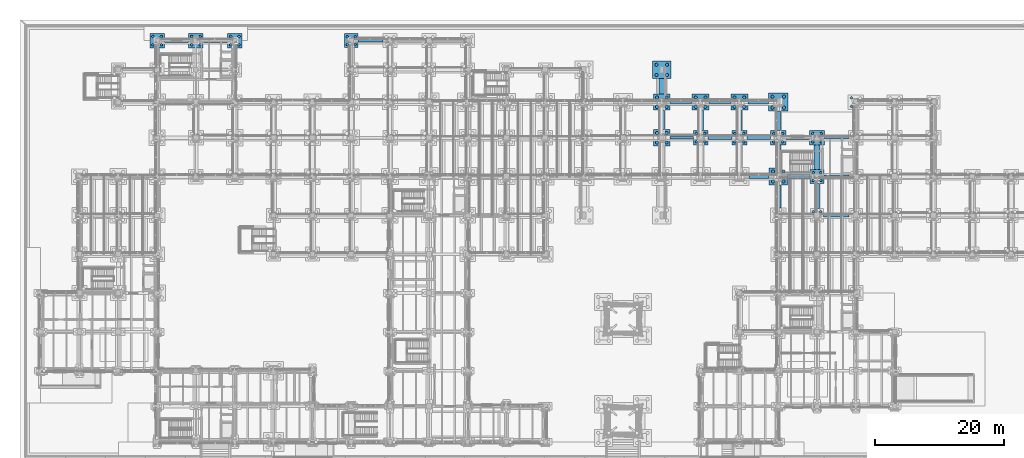
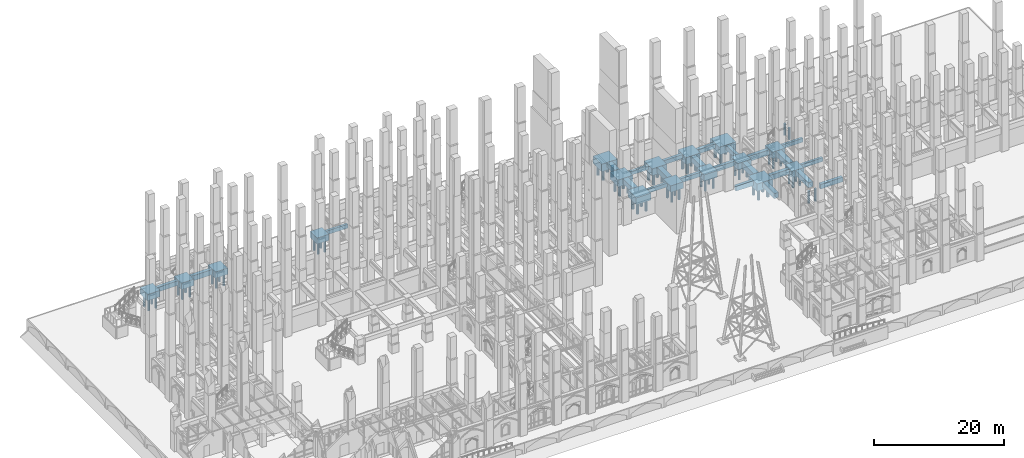
# One storey, part 11 of 135: 68 piles, 40 footings.
"""IFC4 building model written with IfcOpenShell, lengths in metres."""

from ifc_helpers import new_model, si_unit, direction, frame, origin, origin_2d, place, context, subcontext, project, spatial, polyline, rectangle, circle, outline, extrude, material, material_profile, profile_set, type_object, element, save


model = new_model("IFC4")

# Units and contexts
model_context = context("Model", 3, precision=1e-05, world=origin(), true_north=direction((0.0, 1.0)))
body_context = subcontext(model_context, "Body", "Model", "MODEL_VIEW")
ifc_project = project(units=[si_unit("LENGTHUNIT", "METRE"), si_unit("AREAUNIT", "SQUARE_METRE"), si_unit("VOLUMEUNIT", "CUBIC_METRE"), si_unit("PLANEANGLEUNIT", "RADIAN"), si_unit("MASSUNIT", "GRAM", prefix="KILO")], contexts=[model_context])

# Site, building, storey
site_placement = place(None, origin())
site = spatial("IfcSite", under=ifc_project, at=site_placement, CompositionType="ELEMENT")
building_placement = place(site_placement, origin())
building = spatial("IfcBuilding", under=site, at=building_placement, Name="Cumevento Cable Car Station", CompositionType="ELEMENT")
storey_placement = place(building_placement, origin())
storey = spatial("IfcBuildingStorey", under=building, at=storey_placement, Name="L01", CompositionType="ELEMENT", Elevation=0.0)

# Footings
ifc_material_1 = material(Name="Concrete C40/50", Category="concrete")
footing_type_1 = type_object("IfcFootingType", Name="Ground Beam GB-01 420x720", PredefinedType="FOOTING_BEAM", material=ifc_material_1)
footing_1_placement = place(storey_placement, frame((0.0, 0.0, -0.719970703125)))
element("IfcFooting", 1, at=footing_1_placement, inside=storey, type_object=footing_type_1, Name="Ground Tie Beam GB-01 #104", PredefinedType="FOOTING_BEAM", context=body_context, shape_type="SweptSolid", body=[
    extrude(outline(polyline([(125.076904296875, 44.7900390625), (128.923095703125, 44.7900390625), (128.923095703125, 45.2099609375), (125.076904296875, 45.2099609375), (125.076904296875, 44.7900390625)])), origin(), (0.0, 0.0, 1.0), 0.719970703125),
])
footing_2_placement = place(storey_placement, frame((0.0, 0.0, -0.719970703125)))
element("IfcFooting", 2, at=footing_2_placement, inside=storey, type_object=footing_type_1, Name="Ground Tie Beam GB-01 #124", PredefinedType="FOOTING_BEAM", context=body_context, shape_type="SweptSolid", body=[
    extrude(outline(polyline([(101.302001953125, 50.7900390625), (104.873046875, 50.7900390625), (104.873046875, 51.2099609375), (101.302001953125, 51.2099609375), (101.302001953125, 50.7900390625)])), origin(), (0.0, 0.0, 1.0), 0.719970703125),
])
footing_3_placement = place(storey_placement, frame((0.0, 0.0, -0.719970703125)))
element("IfcFooting", 3, at=footing_3_placement, inside=storey, type_object=footing_type_1, Name="Ground Tie Beam GB-01 #128", PredefinedType="FOOTING_BEAM", context=body_context, shape_type="SweptSolid", body=[
    extrude(outline(polyline([(125.126953125, 50.7900390625), (128.873046875, 50.7900390625), (128.873046875, 51.2099609375), (125.126953125, 51.2099609375), (125.126953125, 50.7900390625)])), origin(), (0.0, 0.0, 1.0), 0.719970703125),
])
footing_4_placement = place(storey_placement, frame((0.0, 0.0, -0.719970703125)))
element("IfcFooting", 4, at=footing_4_placement, inside=storey, type_object=footing_type_1, Name="Ground Tie Beam GB-01 #144", PredefinedType="FOOTING_BEAM", context=body_context, shape_type="SweptSolid", body=[
    extrude(outline(polyline([(101.302001953125, 56.2900390625), (104.697998046875, 56.2900390625), (104.697998046875, 56.7099609375), (101.302001953125, 56.7099609375), (101.302001953125, 56.2900390625)])), origin(), (0.0, 0.0, 1.0), 0.719970703125),
])
footing_5_placement = place(storey_placement, frame((0.0, 0.0, -0.719970703125)))
element("IfcFooting", 5, at=footing_5_placement, inside=storey, type_object=footing_type_1, Name="Ground Tie Beam GB-01 #156", PredefinedType="FOOTING_BEAM", context=body_context, shape_type="SweptSolid", body=[
    extrude(outline(polyline([(53.076904296875, 65.7900390625), (56.923095703125, 65.7900390625), (56.923095703125, 66.2099609375), (53.076904296875, 66.2099609375), (53.076904296875, 65.7900390625)])), origin(), (0.0, 0.0, 1.0), 0.719970703125),
])
ifc_material_2 = material(Name="Concrete C40/50", Category="concrete")
footing_type_2 = type_object("IfcFootingType", Name="Ground Beam GB-02 480x800", PredefinedType="FOOTING_BEAM", material=ifc_material_2)
footing_6_placement = place(storey_placement, frame((0.0, 0.0, -0.800048828125)))
element("IfcFooting", 6, at=footing_6_placement, inside=storey, type_object=footing_type_2, Name="Ground Tie Beam GB-02 #125", PredefinedType="FOOTING_BEAM", context=body_context, shape_type="SweptSolid", body=[
    extrude(outline(polyline([(107.126953125, 50.760009765625), (110.822998046875, 50.760009765625), (110.822998046875, 51.239990234375), (107.126953125, 51.239990234375), (107.126953125, 50.760009765625)])), origin(), (0.0, 0.0, 1.0), 0.800048828125),
])
footing_7_placement = place(storey_placement, frame((0.0, 0.0, -0.800048828125)))
element("IfcFooting", 7, at=footing_7_placement, inside=storey, type_object=footing_type_2, Name="Ground Tie Beam GB-02 #145", PredefinedType="FOOTING_BEAM", context=body_context, shape_type="SweptSolid", body=[
    extrude(outline(polyline([(107.302001953125, 56.260009765625), (110.697998046875, 56.260009765625), (110.697998046875, 56.739990234375), (107.302001953125, 56.739990234375), (107.302001953125, 56.260009765625)])), origin(), (0.0, 0.0, 1.0), 0.800048828125),
])
ifc_material_3 = material(Name="Concrete C40/50", Category="concrete")
footing_type_3 = type_object("IfcFootingType", Name="Ground Beam GB-03 540x880", PredefinedType="FOOTING_BEAM", material=ifc_material_3)
footing_8_placement = place(storey_placement, frame((0.0, 0.0, -0.8798828125)))
element("IfcFooting", 8, at=footing_8_placement, inside=storey, type_object=footing_type_3, Name="Ground Tie Beam GB-03 #78", PredefinedType="FOOTING_BEAM", context=body_context, shape_type="SweptSolid", body=[
    extrude(outline(polyline([(125.027099609375, 38.72998046875), (128.972900390625, 38.72998046875), (128.972900390625, 39.27001953125), (125.027099609375, 39.27001953125), (125.027099609375, 38.72998046875)])), origin(), (0.0, 0.0, 1.0), 0.8798828125),
])
footing_9_placement = place(storey_placement, frame((0.0, 0.0, -0.8798828125)))
element("IfcFooting", 9, at=footing_9_placement, inside=storey, type_object=footing_type_3, Name="Ground Tie Beam GB-03 #102", PredefinedType="FOOTING_BEAM", context=body_context, shape_type="SweptSolid", body=[
    extrude(outline(polyline([(113.501953125, 44.72998046875), (116.597900390625, 44.72998046875), (116.597900390625, 45.27001953125), (113.501953125, 45.27001953125), (113.501953125, 44.72998046875)])), origin(), (0.0, 0.0, 1.0), 0.8798828125),
])
footing_10_placement = place(storey_placement, frame((0.0, 0.0, -0.8798828125)))
element("IfcFooting", 10, at=footing_10_placement, inside=storey, type_object=footing_type_3, Name="Ground Tie Beam GB-03 #126", PredefinedType="FOOTING_BEAM", context=body_context, shape_type="SweptSolid", body=[
    extrude(outline(polyline([(113.177001953125, 50.72998046875), (116.822998046875, 50.72998046875), (116.822998046875, 51.27001953125), (113.177001953125, 51.27001953125), (113.177001953125, 50.72998046875)])), origin(), (0.0, 0.0, 1.0), 0.8798828125),
])
footing_11_placement = place(storey_placement, frame((0.0, 0.0, -0.8798828125)))
element("IfcFooting", 11, at=footing_11_placement, inside=storey, type_object=footing_type_3, Name="Ground Tie Beam GB-03 #146", PredefinedType="FOOTING_BEAM", context=body_context, shape_type="SweptSolid", body=[
    extrude(outline(polyline([(113.302001953125, 56.22998046875), (116.498046875, 56.22998046875), (116.498046875, 56.77001953125), (113.302001953125, 56.77001953125), (113.302001953125, 56.22998046875)])), origin(), (0.0, 0.0, 1.0), 0.8798828125),
])
footing_12_placement = place(storey_placement, frame((0.0, 0.0, -0.8798828125)))
element("IfcFooting", 12, at=footing_12_placement, inside=storey, type_object=footing_type_3, Name="Ground Tie Beam GB-03 #154", PredefinedType="FOOTING_BEAM", context=body_context, shape_type="SweptSolid", body=[
    extrude(outline(polyline([(23.126953125, 65.72998046875), (26.873046875, 65.72998046875), (26.873046875, 66.27001953125), (23.126953125, 66.27001953125), (23.126953125, 65.72998046875)])), origin(), (0.0, 0.0, 1.0), 0.8798828125),
])
ifc_material_4 = material(Name="Concrete C40/50", Category="concrete")
footing_type_4 = type_object("IfcFootingType", Name="Ground Beam GB-04 600x960", PredefinedType="FOOTING_BEAM", material=ifc_material_4)
footing_13_placement = place(storey_placement, frame((0.0, 0.0, -0.9599609375)))
element("IfcFooting", 13, at=footing_13_placement, inside=storey, type_object=footing_type_4, Name="Ground Tie Beam GB-04 #103", PredefinedType="FOOTING_BEAM", context=body_context, shape_type="SweptSolid", body=[
    extrude(outline(polyline([(119.402099609375, 44.699951171875), (122.923095703125, 44.699951171875), (122.923095703125, 45.300048828125), (119.402099609375, 45.300048828125), (119.402099609375, 44.699951171875)])), origin(), (0.0, 0.0, 1.0), 0.9599609375),
])
footing_14_placement = place(storey_placement, frame((0.0, 0.0, -0.9599609375)))
element("IfcFooting", 14, at=footing_14_placement, inside=storey, type_object=footing_type_4, Name="Ground Tie Beam GB-04 #127", PredefinedType="FOOTING_BEAM", context=body_context, shape_type="SweptSolid", body=[
    extrude(outline(polyline([(119.177001953125, 50.699951171875), (122.873046875, 50.699951171875), (122.873046875, 51.300048828125), (119.177001953125, 51.300048828125), (119.177001953125, 50.699951171875)])), origin(), (0.0, 0.0, 1.0), 0.9599609375),
])
footing_15_placement = place(storey_placement, frame((0.0, 0.0, -0.9599609375)))
element("IfcFooting", 15, at=footing_15_placement, inside=storey, type_object=footing_type_4, Name="Ground Tie Beam GB-04 #155", PredefinedType="FOOTING_BEAM", context=body_context, shape_type="SweptSolid", body=[
    extrude(outline(polyline([(29.126953125, 65.699951171875), (32.873046875, 65.699951171875), (32.873046875, 66.300048828125), (29.126953125, 66.300048828125), (29.126953125, 65.699951171875)])), origin(), (0.0, 0.0, 1.0), 0.9599609375),
])

# Piles
ifc_material_5 = material(Name="Concrete C40/50", Category="concrete")
ifc_material_profile_1 = material_profile(ifc_material_5, circle(Radius=0.199951171875, at=origin_2d()), Name="PILE-D400")
ifc_profile_set_1 = profile_set([ifc_material_profile_1], Name="Concrete C40/50")
pile_type_1 = type_object("IfcPileType", Name="PILE-BORED-400", PredefinedType="BORED", material=ifc_profile_set_1)
for number, where, z_axis, x_axis, name in (
    (16, (21.35009765625, 65.35009765625, -1.199951171875), (0.0, 0.0, -1.0), (1.0, 0.0, 0.0), "Bored Pile PL-400 #83"),
    (17, (22.64990234375, 65.35009765625, -1.199951171875), (0.0, 0.0, -1.0), (1.0, 0.0, 0.0), "Bored Pile PL-400 #84"),
    (18, (21.35009765625, 66.64990234375, -1.199951171875), (0.0, 0.0, -1.0), (1.0, 0.0, 0.0), "Bored Pile PL-400 #85"),
    (19, (22.64990234375, 66.64990234375, -1.199951171875), (0.0, 0.0, -1.0), (1.0, 0.0, 0.0), "Bored Pile PL-400 #86"),
    (20, (27.35009765625, 65.35009765625, -1.199951171875), (0.0, 0.0, -1.0), (1.0, 0.0, 0.0), "Bored Pile PL-400 #109"),
    (21, (28.64990234375, 65.35009765625, -1.199951171875), (0.0, 0.0, -1.0), (1.0, 0.0, 0.0), "Bored Pile PL-400 #110"),
    (22, (27.35009765625, 66.64990234375, -1.199951171875), (0.0, 0.0, -1.0), (1.0, 0.0, 0.0), "Bored Pile PL-400 #111"),
    (23, (28.64990234375, 66.64990234375, -1.199951171875), (0.0, 0.0, -1.0), (1.0, 0.0, 0.0), "Bored Pile PL-400 #112"),
    (24, (33.35009765625, 65.35009765625, -1.199951171875), (0.0, 0.0, -1.0), (1.0, 0.0, 0.0), "Bored Pile PL-400 #135"),
    (25, (34.64990234375, 65.35009765625, -1.199951171875), (0.0, 0.0, -1.0), (1.0, 0.0, 0.0), "Bored Pile PL-400 #136"),
    (26, (33.35009765625, 66.64990234375, -1.199951171875), (0.0, 0.0, -1.0), (1.0, 0.0, 0.0), "Bored Pile PL-400 #137"),
    (27, (34.64990234375, 66.64990234375, -1.199951171875), (0.0, 0.0, -1.0), (1.0, 0.0, 0.0), "Bored Pile PL-400 #138"),
):
    element("IfcPile", number, at=place(storey_placement, frame(where, z_axis=z_axis, x_axis=x_axis)), inside=storey, type_object=pile_type_1, Name=name, PredefinedType="BORED", context=body_context, shape_type="SweptSolid", body=[
        extrude(circle(Radius=0.199951171875, at=origin_2d()), origin(), (0.0, 0.0, 1.0), 2.199951171875),
    ])
for number, where, z_axis, x_axis, name in (
    (28, (51.39990234375, 65.39990234375, -1.14990234375), (0.0, 0.0, -1.0), (1.0, 0.0, 0.0), "Bored Pile PL-400 #199"),
    (29, (52.60009765625, 65.39990234375, -1.14990234375), (0.0, 0.0, -1.0), (1.0, 0.0, 0.0), "Bored Pile PL-400 #200"),
    (30, (51.39990234375, 66.60009765625, -1.14990234375), (0.0, 0.0, -1.0), (1.0, 0.0, 0.0), "Bored Pile PL-400 #201"),
    (31, (52.60009765625, 66.60009765625, -1.14990234375), (0.0, 0.0, -1.0), (1.0, 0.0, 0.0), "Bored Pile PL-400 #202"),
):
    element("IfcPile", number, at=place(storey_placement, frame(where, z_axis=z_axis, x_axis=x_axis)), inside=storey, type_object=pile_type_1, Name=name, PredefinedType="BORED", context=body_context, shape_type="SweptSolid", body=[
        extrude(circle(Radius=0.199951171875, at=origin_2d()), origin(), (0.0, 0.0, 1.0), 2.25),
    ])
for number, where, z_axis, x_axis, name in (
    (32, (105.35009765625, 50.35009765625, -1.199951171875), (0.0, 0.0, -1.0), (1.0, 0.0, 0.0), "Bored Pile PL-400 #407"),
    (33, (106.64990234375, 50.35009765625, -1.199951171875), (0.0, 0.0, -1.0), (1.0, 0.0, 0.0), "Bored Pile PL-400 #408"),
    (34, (105.35009765625, 51.64990234375, -1.199951171875), (0.0, 0.0, -1.0), (1.0, 0.0, 0.0), "Bored Pile PL-400 #409"),
    (35, (106.64990234375, 51.64990234375, -1.199951171875), (0.0, 0.0, -1.0), (1.0, 0.0, 0.0), "Bored Pile PL-400 #410"),
):
    element("IfcPile", number, at=place(storey_placement, frame(where, z_axis=z_axis, x_axis=x_axis)), inside=storey, type_object=pile_type_1, Name=name, PredefinedType="BORED", context=body_context, shape_type="SweptSolid", body=[
        extrude(circle(Radius=0.199951171875, at=origin_2d()), origin(), (0.0, 0.0, 1.0), 2.199951171875),
    ])
for number, where, z_axis, x_axis, name in (
    (36, (111.320068359375, 50.35009765625, -1.219970703125), (0.0, 0.0, -1.0), (1.0, 0.0, 0.0), "Bored Pile PL-400 #425"),
    (37, (112.679931640625, 50.35009765625, -1.219970703125), (0.0, 0.0, -1.0), (1.0, 0.0, 0.0), "Bored Pile PL-400 #426"),
    (38, (111.320068359375, 51.64990234375, -1.219970703125), (0.0, 0.0, -1.0), (1.0, 0.0, 0.0), "Bored Pile PL-400 #427"),
    (39, (112.679931640625, 51.64990234375, -1.219970703125), (0.0, 0.0, -1.0), (1.0, 0.0, 0.0), "Bored Pile PL-400 #428"),
    (40, (117.320068359375, 50.35009765625, -1.219970703125), (0.0, 0.0, -1.0), (1.0, 0.0, 0.0), "Bored Pile PL-400 #459"),
    (41, (118.679931640625, 50.35009765625, -1.219970703125), (0.0, 0.0, -1.0), (1.0, 0.0, 0.0), "Bored Pile PL-400 #460"),
    (42, (117.320068359375, 51.64990234375, -1.219970703125), (0.0, 0.0, -1.0), (1.0, 0.0, 0.0), "Bored Pile PL-400 #461"),
    (43, (118.679931640625, 51.64990234375, -1.219970703125), (0.0, 0.0, -1.0), (1.0, 0.0, 0.0), "Bored Pile PL-400 #462"),
):
    element("IfcPile", number, at=place(storey_placement, frame(where, z_axis=z_axis, x_axis=x_axis)), inside=storey, type_object=pile_type_1, Name=name, PredefinedType="BORED", context=body_context, shape_type="SweptSolid", body=[
        extrude(circle(Radius=0.199951171875, at=origin_2d()), origin(), (0.0, 0.0, 1.0), 2.179931640625),
    ])
for number, where, z_axis, x_axis, name in (
    (44, (123.419921875, 39.580078125, -1.10009765625), (0.0, 0.0, -1.0), (1.0, 0.0, 0.0), "Bored Pile PL-400 #485"),
    (45, (124.580078125, 39.580078125, -1.10009765625), (0.0, 0.0, -1.0), (1.0, 0.0, 0.0), "Bored Pile PL-400 #486"),
):
    element("IfcPile", number, at=place(storey_placement, frame(where, z_axis=z_axis, x_axis=x_axis)), inside=storey, type_object=pile_type_1, Name=name, PredefinedType="BORED", context=body_context, shape_type="SweptSolid", body=[
        extrude(circle(Radius=0.199951171875, at=origin_2d()), origin(), (0.0, 0.0, 1.0), 2.300048828125),
    ])
for number, where, z_axis, x_axis, name in (
    (46, (123.39990234375, 44.39990234375, -1.14990234375), (0.0, 0.0, -1.0), (1.0, 0.0, 0.0), "Bored Pile PL-400 #487"),
    (47, (124.60009765625, 44.39990234375, -1.14990234375), (0.0, 0.0, -1.0), (1.0, 0.0, 0.0), "Bored Pile PL-400 #488"),
    (48, (123.39990234375, 45.60009765625, -1.14990234375), (0.0, 0.0, -1.0), (1.0, 0.0, 0.0), "Bored Pile PL-400 #489"),
    (49, (124.60009765625, 45.60009765625, -1.14990234375), (0.0, 0.0, -1.0), (1.0, 0.0, 0.0), "Bored Pile PL-400 #490"),
):
    element("IfcPile", number, at=place(storey_placement, frame(where, z_axis=z_axis, x_axis=x_axis)), inside=storey, type_object=pile_type_1, Name=name, PredefinedType="BORED", context=body_context, shape_type="SweptSolid", body=[
        extrude(circle(Radius=0.199951171875, at=origin_2d()), origin(), (0.0, 0.0, 1.0), 2.25),
    ])
for number, where, z_axis, x_axis, name in (
    (50, (123.35009765625, 50.35009765625, -1.199951171875), (0.0, 0.0, -1.0), (1.0, 0.0, 0.0), "Bored Pile PL-400 #491"),
    (51, (124.64990234375, 50.35009765625, -1.199951171875), (0.0, 0.0, -1.0), (1.0, 0.0, 0.0), "Bored Pile PL-400 #492"),
    (52, (123.35009765625, 51.64990234375, -1.199951171875), (0.0, 0.0, -1.0), (1.0, 0.0, 0.0), "Bored Pile PL-400 #493"),
    (53, (124.64990234375, 51.64990234375, -1.199951171875), (0.0, 0.0, -1.0), (1.0, 0.0, 0.0), "Bored Pile PL-400 #494"),
):
    element("IfcPile", number, at=place(storey_placement, frame(where, z_axis=z_axis, x_axis=x_axis)), inside=storey, type_object=pile_type_1, Name=name, PredefinedType="BORED", context=body_context, shape_type="SweptSolid", body=[
        extrude(circle(Radius=0.199951171875, at=origin_2d()), origin(), (0.0, 0.0, 1.0), 2.199951171875),
    ])
for number, where, z_axis, x_axis, name in (
    (54, (129.320068359375, 55.85009765625, -1.219970703125), (0.0, 0.0, -1.0), (1.0, 0.0, 0.0), "Bored Pile PL-400 #523"),
    (55, (129.320068359375, 57.14990234375, -1.219970703125), (0.0, 0.0, -1.0), (1.0, 0.0, 0.0), "Bored Pile PL-400 #525"),
):
    element("IfcPile", number, at=place(storey_placement, frame(where, z_axis=z_axis, x_axis=x_axis)), inside=storey, type_object=pile_type_1, Name=name, PredefinedType="BORED", context=body_context, shape_type="SweptSolid", body=[
        extrude(circle(Radius=0.199951171875, at=origin_2d()), origin(), (0.0, 0.0, 1.0), 2.179931640625),
    ])
ifc_material_6 = material(Name="Concrete C40/50", Category="concrete")
ifc_material_profile_2 = material_profile(ifc_material_6, circle(Radius=0.25, at=origin_2d()), Name="PILE-D500")
ifc_profile_set_2 = profile_set([ifc_material_profile_2], Name="Concrete C40/50")
pile_type_2 = type_object("IfcPileType", Name="PILE-BORED-500", PredefinedType="BORED", material=ifc_profile_set_2)
for number, where, z_axis, x_axis, name in (
    (56, (99.25, 50.280029296875, -1.300048828125), (0.0, 0.0, -1.0), (1.0, 0.0, 0.0), "Bored Pile PL-500 #389"),
    (57, (100.75, 50.280029296875, -1.300048828125), (0.0, 0.0, -1.0), (1.0, 0.0, 0.0), "Bored Pile PL-500 #390"),
    (58, (99.25, 51.719970703125, -1.300048828125), (0.0, 0.0, -1.0), (1.0, 0.0, 0.0), "Bored Pile PL-500 #391"),
    (59, (100.75, 51.719970703125, -1.300048828125), (0.0, 0.0, -1.0), (1.0, 0.0, 0.0), "Bored Pile PL-500 #392"),
    (60, (99.25, 55.780029296875, -1.300048828125), (0.0, 0.0, -1.0), (1.0, 0.0, 0.0), "Bored Pile PL-500 #393"),
    (61, (100.75, 55.780029296875, -1.300048828125), (0.0, 0.0, -1.0), (1.0, 0.0, 0.0), "Bored Pile PL-500 #394"),
    (62, (99.25, 57.219970703125, -1.300048828125), (0.0, 0.0, -1.0), (1.0, 0.0, 0.0), "Bored Pile PL-500 #395"),
    (63, (100.75, 57.219970703125, -1.300048828125), (0.0, 0.0, -1.0), (1.0, 0.0, 0.0), "Bored Pile PL-500 #396"),
    (64, (105.25, 55.780029296875, -1.300048828125), (0.0, 0.0, -1.0), (1.0, 0.0, 0.0), "Bored Pile PL-500 #411"),
    (65, (106.75, 55.780029296875, -1.300048828125), (0.0, 0.0, -1.0), (1.0, 0.0, 0.0), "Bored Pile PL-500 #412"),
    (66, (105.25, 57.219970703125, -1.300048828125), (0.0, 0.0, -1.0), (1.0, 0.0, 0.0), "Bored Pile PL-500 #413"),
    (67, (106.75, 57.219970703125, -1.300048828125), (0.0, 0.0, -1.0), (1.0, 0.0, 0.0), "Bored Pile PL-500 #414"),
    (68, (111.25, 55.780029296875, -1.300048828125), (0.0, 0.0, -1.0), (1.0, 0.0, 0.0), "Bored Pile PL-500 #429"),
    (69, (112.75, 55.780029296875, -1.300048828125), (0.0, 0.0, -1.0), (1.0, 0.0, 0.0), "Bored Pile PL-500 #430"),
    (70, (111.25, 57.219970703125, -1.300048828125), (0.0, 0.0, -1.0), (1.0, 0.0, 0.0), "Bored Pile PL-500 #431"),
    (71, (112.75, 57.219970703125, -1.300048828125), (0.0, 0.0, -1.0), (1.0, 0.0, 0.0), "Bored Pile PL-500 #432"),
):
    element("IfcPile", number, at=place(storey_placement, frame(where, z_axis=z_axis, x_axis=x_axis)), inside=storey, type_object=pile_type_2, Name=name, PredefinedType="BORED", context=body_context, shape_type="SweptSolid", body=[
        extrude(circle(Radius=0.25, at=origin_2d()), origin(), (0.0, 0.0, 1.0), 2.10009765625),
    ])
for number, where, z_axis, x_axis, name in (
    (72, (117.179931640625, 44.219970703125, -1.3798828125), (0.0, 0.0, -1.0), (1.0, 0.0, 0.0), "Bored Pile PL-500 #455"),
    (73, (118.820068359375, 44.219970703125, -1.3798828125), (0.0, 0.0, -1.0), (1.0, 0.0, 0.0), "Bored Pile PL-500 #456"),
    (74, (117.179931640625, 45.780029296875, -1.3798828125), (0.0, 0.0, -1.0), (1.0, 0.0, 0.0), "Bored Pile PL-500 #457"),
    (75, (118.820068359375, 45.780029296875, -1.3798828125), (0.0, 0.0, -1.0), (1.0, 0.0, 0.0), "Bored Pile PL-500 #458"),
):
    element("IfcPile", number, at=place(storey_placement, frame(where, z_axis=z_axis, x_axis=x_axis)), inside=storey, type_object=pile_type_2, Name=name, PredefinedType="BORED", context=body_context, shape_type="SweptSolid", body=[
        extrude(circle(Radius=0.25, at=origin_2d()), origin(), (0.0, 0.0, 1.0), 2.02001953125),
    ])
for number, where, z_axis, x_axis, name in (
    (76, (117.10009765625, 55.64990234375, -1.449951171875), (0.0, 0.0, -1.0), (1.0, 0.0, 0.0), "Bored Pile PL-500 #463"),
    (77, (118.89990234375, 55.64990234375, -1.449951171875), (0.0, 0.0, -1.0), (1.0, 0.0, 0.0), "Bored Pile PL-500 #464"),
    (78, (117.10009765625, 57.35009765625, -1.449951171875), (0.0, 0.0, -1.0), (1.0, 0.0, 0.0), "Bored Pile PL-500 #465"),
    (79, (118.89990234375, 57.35009765625, -1.449951171875), (0.0, 0.0, -1.0), (1.0, 0.0, 0.0), "Bored Pile PL-500 #466"),
):
    element("IfcPile", number, at=place(storey_placement, frame(where, z_axis=z_axis, x_axis=x_axis)), inside=storey, type_object=pile_type_2, Name=name, PredefinedType="BORED", context=body_context, shape_type="SweptSolid", body=[
        extrude(circle(Radius=0.25, at=origin_2d()), origin(), (0.0, 0.0, 1.0), 1.949951171875),
    ])
for number, where, z_axis, x_axis, name in (
    (80, (99.179931640625, 60.719970703125, -1.3798828125), (0.0, 0.0, -1.0), (1.0, 0.0, 0.0), "Bored Pile PL-500 Ext #5"),
    (81, (100.820068359375, 60.719970703125, -1.3798828125), (0.0, 0.0, -1.0), (1.0, 0.0, 0.0), "Bored Pile PL-500 Ext #6"),
    (82, (99.179931640625, 62.280029296875, -1.3798828125), (0.0, 0.0, -1.0), (1.0, 0.0, 0.0), "Bored Pile PL-500 Ext #7"),
    (83, (100.820068359375, 62.280029296875, -1.3798828125), (0.0, 0.0, -1.0), (1.0, 0.0, 0.0), "Bored Pile PL-500 Ext #8"),
):
    element("IfcPile", number, at=place(storey_placement, frame(where, z_axis=z_axis, x_axis=x_axis)), inside=storey, type_object=pile_type_2, Name=name, PredefinedType="BORED", context=body_context, shape_type="SweptSolid", body=[
        extrude(circle(Radius=0.25, at=origin_2d()), origin(), (0.0, 0.0, 1.0), 2.02001953125),
    ])

# Footings
ifc_material_7 = material(Name="Concrete C40/50", Category="concrete")
footing_type_5 = type_object("IfcFootingType", Name="Pile Cap PC-06 2150x2150x1150", PredefinedType="PILE_CAP", material=ifc_material_7)
for number, where, z_axis, x_axis, name in (
    (84, (52.0, 66.0, -1.14990234375), (0.0, 0.0, 1.0), (1.0, 0.0, 0.0), "Pile Cap PC-06 at (52.0,66.0)"),
    (85, (124.0, 45.0, -1.14990234375), (0.0, 0.0, 1.0), (1.0, 0.0, 0.0), "Pile Cap PC-06 at (124.0,45.0)"),
):
    element("IfcFooting", number, at=place(storey_placement, frame(where, z_axis=z_axis, x_axis=x_axis)), inside=storey, type_object=footing_type_5, Name=name, PredefinedType="PILE_CAP", context=body_context, shape_type="SweptSolid", body=[
        extrude(rectangle(XDim=2.14990234375, YDim=2.14990234375, at=origin_2d()), origin(), (0.0, 0.0, 1.0), 1.14990234375),
    ])
ifc_material_8 = material(Name="Concrete C40/50", Category="concrete")
footing_type_6 = type_object("IfcFootingType", Name="Pile Cap PC-07 2250x2250x1200", PredefinedType="PILE_CAP", material=ifc_material_8)
for number, where, z_axis, x_axis, name in (
    (86, (22.0, 66.0, -1.2001953125), (0.0, 0.0, 1.0), (1.0, 0.0, 0.0), "Pile Cap PC-07 at (22.0,66.0)"),
    (87, (28.0, 66.0, -1.2001953125), (0.0, 0.0, 1.0), (1.0, 0.0, 0.0), "Pile Cap PC-07 at (28.0,66.0)"),
    (88, (34.0, 66.0, -1.2001953125), (0.0, 0.0, 1.0), (1.0, 0.0, 0.0), "Pile Cap PC-07 at (34.0,66.0)"),
    (89, (106.0, 51.0, -1.2001953125), (0.0, 0.0, 1.0), (1.0, 0.0, 0.0), "Pile Cap PC-07 at (106.0,51.0)"),
    (90, (124.0, 51.0, -1.2001953125), (0.0, 0.0, 1.0), (1.0, 0.0, 0.0), "Pile Cap PC-07 at (124.0,51.0)"),
):
    element("IfcFooting", number, at=place(storey_placement, frame(where, z_axis=z_axis, x_axis=x_axis)), inside=storey, type_object=footing_type_6, Name=name, PredefinedType="PILE_CAP", context=body_context, shape_type="SweptSolid", body=[
        extrude(rectangle(XDim=2.25, YDim=2.25, at=origin_2d()), origin(), (0.0, 0.0, 1.0), 1.199951171875),
    ])
ifc_material_9 = material(Name="Concrete C40/50", Category="concrete")
footing_type_7 = type_object("IfcFootingType", Name="Pile Cap PC-08 2350x2250x1220", PredefinedType="PILE_CAP", material=ifc_material_9)
for number, where, z_axis, x_axis, name in (
    (91, (112.0, 51.0, -1.22021484375), (0.0, 0.0, 1.0), (1.0, 0.0, 0.0), "Pile Cap PC-08 at (112.0,51.0)"),
    (92, (118.0, 51.0, -1.22021484375), (0.0, 0.0, 1.0), (1.0, 0.0, 0.0), "Pile Cap PC-08 at (118.0,51.0)"),
):
    element("IfcFooting", number, at=place(storey_placement, frame(where, z_axis=z_axis, x_axis=x_axis)), inside=storey, type_object=footing_type_7, Name=name, PredefinedType="PILE_CAP", context=body_context, shape_type="SweptSolid", body=[
        extrude(rectangle(XDim=2.35009765625, YDim=2.25, at=origin_2d()), origin(), (0.0, 0.0, 1.0), 1.219970703125),
    ])
ifc_material_10 = material(Name="Concrete C40/50", Category="concrete")
footing_type_8 = type_object("IfcFootingType", Name="Pile Cap PC-11 2600x2500x1300", PredefinedType="PILE_CAP", material=ifc_material_10)
for number, where, z_axis, x_axis, name in (
    (93, (100.0, 51.0, -1.2998046875), (0.0, 0.0, 1.0), (1.0, 0.0, 0.0), "Pile Cap PC-11 at (100.0,51.0)"),
    (94, (100.0, 56.5, -1.2998046875), (0.0, 0.0, 1.0), (1.0, 0.0, 0.0), "Pile Cap PC-11 at (100.0,56.5)"),
    (95, (106.0, 56.5, -1.2998046875), (0.0, 0.0, 1.0), (1.0, 0.0, 0.0), "Pile Cap PC-11 at (106.0,56.5)"),
    (96, (112.0, 56.5, -1.2998046875), (0.0, 0.0, 1.0), (1.0, 0.0, 0.0), "Pile Cap PC-11 at (112.0,56.5)"),
):
    element("IfcFooting", number, at=place(storey_placement, frame(where, z_axis=z_axis, x_axis=x_axis)), inside=storey, type_object=footing_type_8, Name=name, PredefinedType="PILE_CAP", context=body_context, shape_type="SweptSolid", body=[
        extrude(rectangle(XDim=2.60009765625, YDim=2.5, at=origin_2d()), origin(), (0.0, 0.0, 1.0), 1.300048828125),
    ])
ifc_material_11 = material(Name="Concrete C40/50", Category="concrete")
footing_type_9 = type_object("IfcFootingType", Name="Pile Cap PC-13 2800x2650x1380", PredefinedType="PILE_CAP", material=ifc_material_11)
for number, where, z_axis, x_axis, name in (
    (97, (118.0, 45.0, -1.3798828125), (0.0, 0.0, 1.0), (1.0, 0.0, 0.0), "Pile Cap PC-13 at (118.0,45.0)"),
    (98, (100.0, 61.5, -1.3798828125), (0.0, 0.0, 1.0), (1.0, 0.0, 0.0), "Pile Cap PC-13 at (100.0,61.5)"),
):
    element("IfcFooting", number, at=place(storey_placement, frame(where, z_axis=z_axis, x_axis=x_axis)), inside=storey, type_object=footing_type_9, Name=name, PredefinedType="PILE_CAP", context=body_context, shape_type="SweptSolid", body=[
        extrude(rectangle(XDim=2.800048828125, YDim=2.64990234375, at=origin_2d()), origin(), (0.0, 0.0, 1.0), 1.3798828125),
    ])
ifc_material_12 = material(Name="Concrete C40/50", Category="concrete")
footing_type_10 = type_object("IfcFootingType", Name="Pile Cap PC-15 3000x2800x1450", PredefinedType="PILE_CAP", material=ifc_material_12)
footing_16_placement = place(storey_placement, frame((118.0, 56.5, -1.4501953125), z_axis=(0.0, 0.0, 1.0), x_axis=(1.0, 0.0, 0.0)))
element("IfcFooting", 99, at=footing_16_placement, inside=storey, type_object=footing_type_10, Name="Pile Cap PC-15 at (118.0,56.5)", PredefinedType="PILE_CAP", context=body_context, shape_type="SweptSolid", body=[
    extrude(rectangle(XDim=3.0, YDim=2.800048828125, at=origin_2d()), origin(), (0.0, 0.0, 1.0), 1.449951171875),
])
ifc_material_13 = material(Name="Concrete C40/50", Category="concrete")
footing_type_11 = type_object("IfcFootingType", Name="Strip Footing SF-01 640x780", PredefinedType="STRIP_FOOTING", material=ifc_material_13)
footing_17_placement = place(storey_placement, frame((0.0, 0.0, -0.780029296875)))
element("IfcFooting", 100, at=footing_17_placement, inside=storey, type_object=footing_type_11, Name="Strip Footing SF-01 #272", PredefinedType="STRIP_FOOTING", context=body_context, shape_type="SweptSolid", body=[
    extrude(outline(polyline([(117.679931640625, 52.126953125), (118.320068359375, 52.126953125), (118.320068359375, 55.097900390625), (117.679931640625, 55.097900390625), (117.679931640625, 52.126953125)])), origin(), (0.0, 0.0, 1.0), 0.780029296875),
])
ifc_material_14 = material(Name="Concrete C40/50", Category="concrete")
footing_type_12 = type_object("IfcFootingType", Name="Strip Footing SF-03 800x940", PredefinedType="STRIP_FOOTING", material=ifc_material_14)
footing_18_placement = place(storey_placement, frame((0.0, 0.0, -0.93994140625)))
element("IfcFooting", 101, at=footing_18_placement, inside=storey, type_object=footing_type_12, Name="Strip Footing SF-03 #270", PredefinedType="STRIP_FOOTING", context=body_context, shape_type="SweptSolid", body=[
    extrude(outline(polyline([(117.60009765625, 40.126953125), (118.39990234375, 40.126953125), (118.39990234375, 43.673095703125), (117.60009765625, 43.673095703125), (117.60009765625, 40.126953125)])), origin(), (0.0, 0.0, 1.0), 0.93994140625),
])
footing_19_placement = place(storey_placement, frame((0.0, 0.0, -0.93994140625)))
element("IfcFooting", 102, at=footing_19_placement, inside=storey, type_object=footing_type_12, Name="Strip Footing SF-03 #278", PredefinedType="STRIP_FOOTING", context=body_context, shape_type="SweptSolid", body=[
    extrude(outline(polyline([(123.60009765625, 40.027099609375), (124.39990234375, 40.027099609375), (124.39990234375, 43.923095703125), (123.60009765625, 43.923095703125), (123.60009765625, 40.027099609375)])), origin(), (0.0, 0.0, 1.0), 0.93994140625),
])
footing_20_placement = place(storey_placement, frame((0.0, 0.0, -0.93994140625)))
element("IfcFooting", 103, at=footing_20_placement, inside=storey, type_object=footing_type_12, Name="Portal Tie Footing SF-03 #2", PredefinedType="STRIP_FOOTING", context=body_context, shape_type="SweptSolid", body=[
    extrude(outline(polyline([(99.60009765625, 57.751953125), (100.39990234375, 57.751953125), (100.39990234375, 60.173095703125), (99.60009765625, 60.173095703125), (99.60009765625, 57.751953125)])), origin(), (0.0, 0.0, 1.0), 0.93994140625),
])
ifc_material_15 = material(Name="Concrete C40/50", Category="concrete")
footing_type_13 = type_object("IfcFootingType", Name="Strip Footing SF-04 880x1020", PredefinedType="STRIP_FOOTING", material=ifc_material_15)
footing_21_placement = place(storey_placement, frame((0.0, 0.0, -1.02001953125)))
element("IfcFooting", 104, at=footing_21_placement, inside=storey, type_object=footing_type_13, Name="Strip Footing SF-04 #255", PredefinedType="STRIP_FOOTING", context=body_context, shape_type="SweptSolid", body=[
    extrude(outline(polyline([(99.56005859375, 52.251953125), (100.43994140625, 52.251953125), (100.43994140625, 55.248046875), (99.56005859375, 55.248046875), (99.56005859375, 52.251953125)])), origin(), (0.0, 0.0, 1.0), 1.02001953125),
])
footing_22_placement = place(storey_placement, frame((0.0, 0.0, -1.02001953125)))
element("IfcFooting", 105, at=footing_22_placement, inside=storey, type_object=footing_type_13, Name="Strip Footing SF-04 #259", PredefinedType="STRIP_FOOTING", context=body_context, shape_type="SweptSolid", body=[
    extrude(outline(polyline([(105.56005859375, 52.126953125), (106.43994140625, 52.126953125), (106.43994140625, 55.248046875), (105.56005859375, 55.248046875), (105.56005859375, 52.126953125)])), origin(), (0.0, 0.0, 1.0), 1.02001953125),
])
footing_23_placement = place(storey_placement, frame((0.0, 0.0, -1.02001953125)))
element("IfcFooting", 106, at=footing_23_placement, inside=storey, type_object=footing_type_13, Name="Strip Footing SF-04 #263", PredefinedType="STRIP_FOOTING", context=body_context, shape_type="SweptSolid", body=[
    extrude(outline(polyline([(111.56005859375, 52.126953125), (112.43994140625, 52.126953125), (112.43994140625, 55.248046875), (111.56005859375, 55.248046875), (111.56005859375, 52.126953125)])), origin(), (0.0, 0.0, 1.0), 1.02001953125),
])
footing_24_placement = place(storey_placement, frame((0.0, 0.0, -1.02001953125)))
element("IfcFooting", 107, at=footing_24_placement, inside=storey, type_object=footing_type_13, Name="Strip Footing SF-04 #271", PredefinedType="STRIP_FOOTING", context=body_context, shape_type="SweptSolid", body=[
    extrude(outline(polyline([(117.56005859375, 46.326904296875), (118.43994140625, 46.326904296875), (118.43994140625, 49.873046875), (117.56005859375, 49.873046875), (117.56005859375, 46.326904296875)])), origin(), (0.0, 0.0, 1.0), 1.02001953125),
])
footing_25_placement = place(storey_placement, frame((0.0, 0.0, -1.02001953125)))
element("IfcFooting", 108, at=footing_25_placement, inside=storey, type_object=footing_type_13, Name="Strip Footing SF-04 #279", PredefinedType="STRIP_FOOTING", context=body_context, shape_type="SweptSolid", body=[
    extrude(outline(polyline([(123.56005859375, 46.076904296875), (124.43994140625, 46.076904296875), (124.43994140625, 49.873046875), (123.56005859375, 49.873046875), (123.56005859375, 46.076904296875)])), origin(), (0.0, 0.0, 1.0), 1.02001953125),
])

save(model, "model.ifc")
